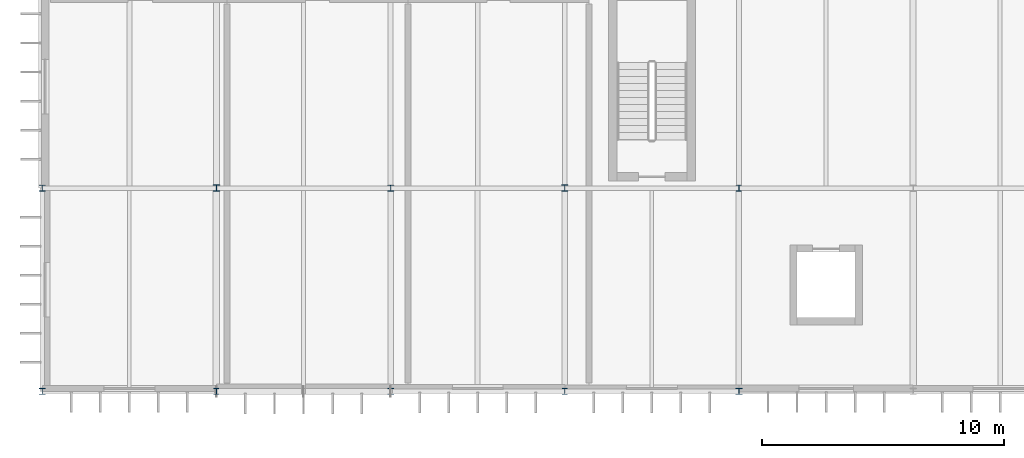
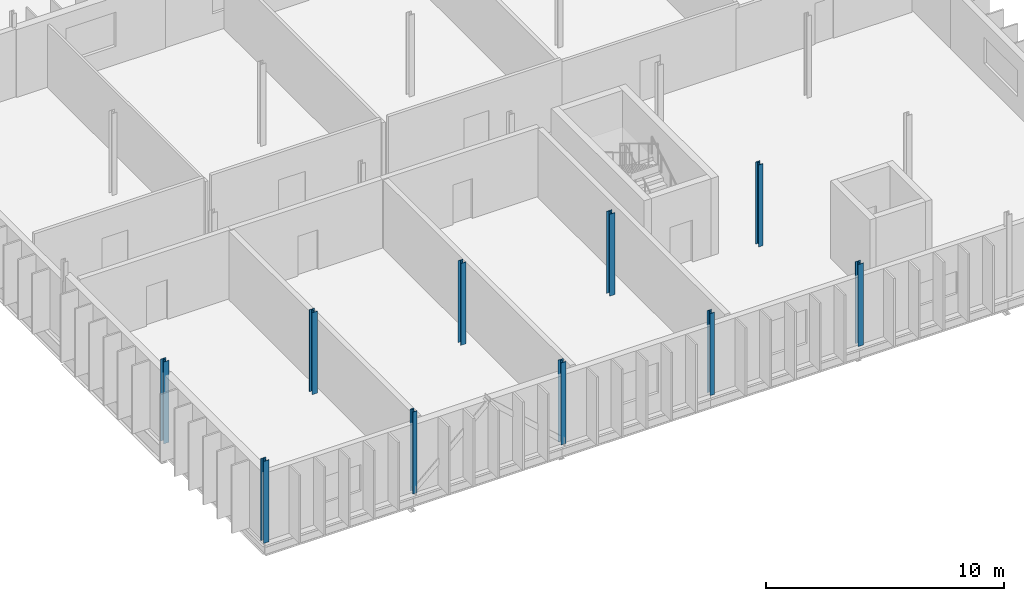
# One storey, part 1 of 119: 10 columns.
"""IFC4 building model written with IfcOpenShell, lengths in metres."""

from ifc_helpers import new_model, si_unit, direction, frame, origin, origin_2d, place, context, subcontext, project, spatial, i_section, extrude, material, material_profile, profile_set, type_object, element, save


model = new_model("IFC4")

# Units and contexts
model_context = context("Model", 3, precision=1e-05, world=origin(), true_north=direction((0.0, 1.0)))
body_context = subcontext(model_context, "Body", "Model", "MODEL_VIEW")
ifc_project = project(units=[si_unit("LENGTHUNIT", "METRE"), si_unit("AREAUNIT", "SQUARE_METRE"), si_unit("VOLUMEUNIT", "CUBIC_METRE"), si_unit("PLANEANGLEUNIT", "RADIAN"), si_unit("MASSUNIT", "GRAM", prefix="KILO")], contexts=[model_context])

# Site, building, storey
site_placement = place(None, origin())
site = spatial("IfcSite", under=ifc_project, at=site_placement, CompositionType="ELEMENT")
building_placement = place(site_placement, origin())
building = spatial("IfcBuilding", under=site, at=building_placement, Name="Qelthora Terrace Specialist Clinic", CompositionType="ELEMENT")
storey_placement = place(building_placement, frame((0.0, 0.0, 4.800048828125)))
storey = spatial("IfcBuildingStorey", under=building, at=storey_placement, Name="L01", CompositionType="ELEMENT", Elevation=4.800048828125)

# Columns
ifc_material = material(Name="Steel S355", Category="steel")
ifc_material_profile_1 = material_profile(ifc_material, i_section(OverallWidth=0.2041015625, OverallDepth=0.257080078125, WebThickness=0.0087890625, FlangeThickness=0.015625, FilletRadius=0.012939453125, at=origin_2d()), Name="W250X67")
ifc_profile_set_1 = profile_set([ifc_material_profile_1], Name="Steel S355")
column_type_1 = type_object("IfcColumnType", Name="COL-W250X67", PredefinedType="COLUMN", material=ifc_profile_set_1)
for number, where, z_axis, x_axis, name in (
    (1, (7.199951171875, 0.0, 0.0), (0.0, 0.0, 1.0), (1.0, 0.0, 0.0), "Column L01-015"),
    (2, (21.60009765625, 0.0, 0.0), (0.0, 0.0, 1.0), (1.0, 0.0, 0.0), "Column L01-043"),
    (3, (28.800048828125, 8.39990234375, 0.0), (0.0, 0.0, 1.0), (1.0, 0.0, 0.0), "Column L01-055"),
):
    element("IfcColumn", number, at=place(storey_placement, frame(where, z_axis=z_axis, x_axis=x_axis)), inside=storey, type_object=column_type_1, Name=name, PredefinedType="COLUMN", context=body_context, shape_type="SweptSolid", body=[
        extrude(i_section(OverallWidth=0.2041015625, OverallDepth=0.257080078125, WebThickness=0.0087890625, FlangeThickness=0.015625, FilletRadius=0.012939453125, at=origin_2d()), origin(), (0.0, 0.0, 1.0), 4.199951171875),
    ])
ifc_material_profile_2 = material_profile(ifc_material, i_section(OverallWidth=0.25390625, OverallDepth=0.2529296875, WebThickness=0.008544921875, FlangeThickness=0.01416015625, FilletRadius=0.012939453125, at=origin_2d()), Name="W250X73")
ifc_profile_set_2 = profile_set([ifc_material_profile_2], Name="Steel S355")
column_type_2 = type_object("IfcColumnType", Name="COL-W250X73", PredefinedType="COLUMN", material=ifc_profile_set_2)
for number, where, z_axis, x_axis, name in (
    (4, (0.0, 8.39990234375, 0.0), (0.0, 0.0, 1.0), (1.0, 0.0, 0.0), "Column L01-002"),
    (5, (14.39990234375, 8.39990234375, 0.0), (0.0, 0.0, 1.0), (1.0, 0.0, 0.0), "Column L01-030"),
    (6, (28.800048828125, 0.0, 0.0), (0.0, 0.0, 1.0), (1.0, 0.0, 0.0), "Column L01-054"),
):
    element("IfcColumn", number, at=place(storey_placement, frame(where, z_axis=z_axis, x_axis=x_axis)), inside=storey, type_object=column_type_2, Name=name, PredefinedType="COLUMN", context=body_context, shape_type="SweptSolid", body=[
        extrude(i_section(OverallWidth=0.25390625, OverallDepth=0.2529296875, WebThickness=0.008544921875, FlangeThickness=0.01416015625, FilletRadius=0.012939453125, at=origin_2d()), origin(), (0.0, 0.0, 1.0), 4.199951171875),
    ])
ifc_material_profile_3 = material_profile(ifc_material, i_section(OverallWidth=0.2548828125, OverallDepth=0.256103515625, WebThickness=0.009521484375, FlangeThickness=0.015625, FilletRadius=0.012939453125, at=origin_2d()), Name="W250X80")
ifc_profile_set_3 = profile_set([ifc_material_profile_3], Name="Steel S355")
column_type_3 = type_object("IfcColumnType", Name="COL-W250X80", PredefinedType="COLUMN", material=ifc_profile_set_3)
for number, where, z_axis, x_axis, name in (
    (7, (0.0, 0.0, 0.0), (0.0, 0.0, 1.0), (1.0, 0.0, 0.0), "Column L01-001"),
    (8, (14.39990234375, 0.0, 0.0), (0.0, 0.0, 1.0), (1.0, 0.0, 0.0), "Column L01-029"),
):
    element("IfcColumn", number, at=place(storey_placement, frame(where, z_axis=z_axis, x_axis=x_axis)), inside=storey, type_object=column_type_3, Name=name, PredefinedType="COLUMN", context=body_context, shape_type="SweptSolid", body=[
        extrude(i_section(OverallWidth=0.2548828125, OverallDepth=0.256103515625, WebThickness=0.009521484375, FlangeThickness=0.015625, FilletRadius=0.012939453125, at=origin_2d()), origin(), (0.0, 0.0, 1.0), 4.199951171875),
    ])
ifc_material_profile_4 = material_profile(ifc_material, i_section(OverallWidth=0.256103515625, OverallDepth=0.260009765625, WebThickness=0.0107421875, FlangeThickness=0.017333984375, FilletRadius=0.012939453125, at=origin_2d()), Name="W250X89")
ifc_profile_set_4 = profile_set([ifc_material_profile_4], Name="Steel S355")
column_type_4 = type_object("IfcColumnType", Name="COL-W250X89", PredefinedType="COLUMN", material=ifc_profile_set_4)
for number, where, z_axis, x_axis, name in (
    (9, (7.199951171875, 8.39990234375, 0.0), (0.0, 0.0, 1.0), (1.0, 0.0, 0.0), "Column L01-016"),
    (10, (21.60009765625, 8.39990234375, 0.0), (0.0, 0.0, 1.0), (1.0, 0.0, 0.0), "Column L01-044"),
):
    element("IfcColumn", number, at=place(storey_placement, frame(where, z_axis=z_axis, x_axis=x_axis)), inside=storey, type_object=column_type_4, Name=name, PredefinedType="COLUMN", context=body_context, shape_type="SweptSolid", body=[
        extrude(i_section(OverallWidth=0.256103515625, OverallDepth=0.260009765625, WebThickness=0.0107421875, FlangeThickness=0.017333984375, FilletRadius=0.012939453125, at=origin_2d()), origin(), (0.0, 0.0, 1.0), 4.199951171875),
    ])

save(model, "model.ifc")
